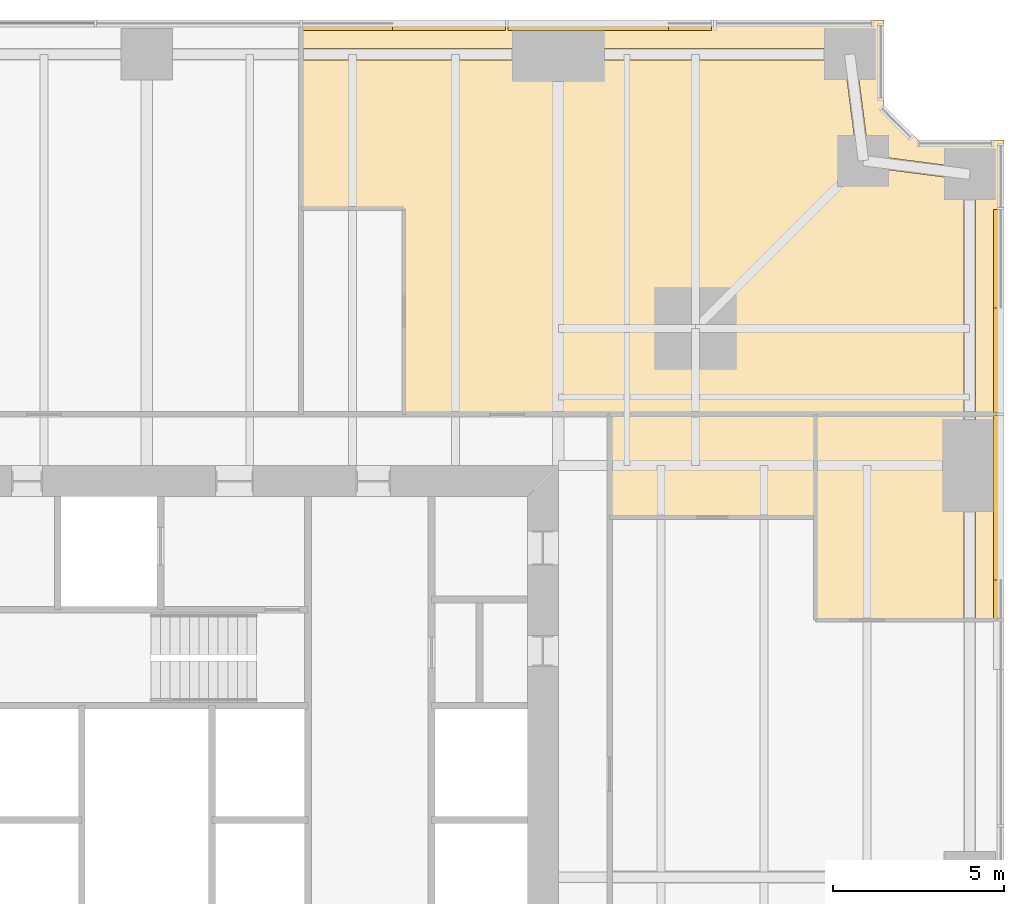
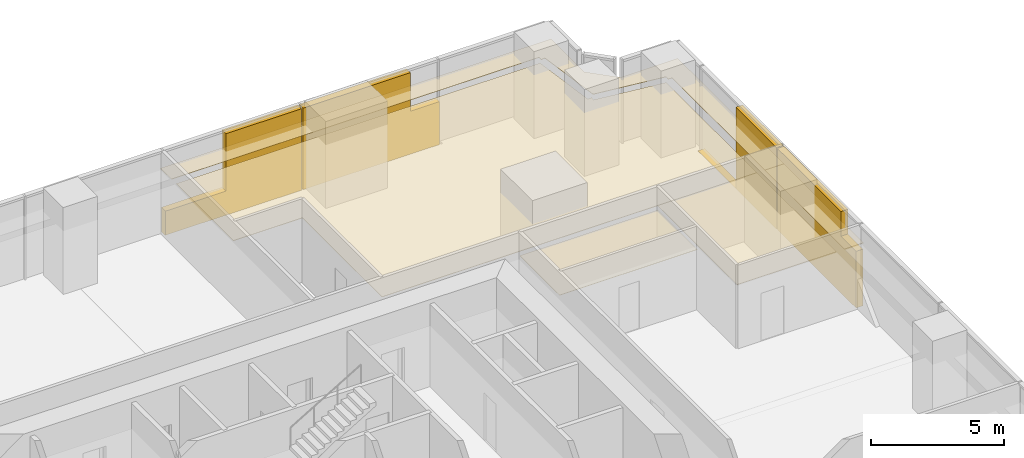
# One storey, part 13 of 15: 9 coverings.
"""IFC4 building model written with IfcOpenShell, lengths in metres."""

from ifc_helpers import new_model, si_unit, direction, frame, origin, place, context, subcontext, project, spatial, polyline, outline, extrude, material, layer, layer_set, type_object, element, save


model = new_model("IFC4")

# Units and contexts
model_context = context("Model", 3, precision=1e-05, world=origin(), true_north=direction((0.0, 1.0)))
body_context = subcontext(model_context, "Body", "Model", "MODEL_VIEW")
ifc_project = project(units=[si_unit("LENGTHUNIT", "METRE"), si_unit("AREAUNIT", "SQUARE_METRE"), si_unit("VOLUMEUNIT", "CUBIC_METRE"), si_unit("PLANEANGLEUNIT", "RADIAN"), si_unit("MASSUNIT", "GRAM", prefix="KILO")], contexts=[model_context])

# Site, building, storey
site_placement = place(None, origin())
site = spatial("IfcSite", under=ifc_project, at=site_placement, CompositionType="ELEMENT")
building_placement = place(site_placement, origin())
building = spatial("IfcBuilding", under=site, at=building_placement, Name="Fenwick Lantern Interchange", CompositionType="ELEMENT")
storey_placement = place(building_placement, frame((0.0, 0.0, 51.0)))
storey = spatial("IfcBuildingStorey", under=building, at=storey_placement, Name="L11", CompositionType="ELEMENT", Elevation=51.0)

# Coverings
ifc_material_1 = material(Name="Mineral fibre acoustic tile on suspended grid")
ifc_layer_1 = layer(ifc_material_1, 0.02001953125)
ifc_layer_set_1 = layer_set([ifc_layer_1], Name="ACOUSTIC TILE CEILING 20")
covering_type_1 = type_object("IfcCoveringType", Name="ACOUSTIC TILE CEILING 20", PredefinedType="CEILING", material=ifc_layer_set_1)
covering_1_placement = place(storey_placement, frame((0.0, 0.0, 2.89990234375)))
element("IfcCovering", 1, at=covering_1_placement, inside=storey, type_object=covering_type_1, Name="Meeting room ceiling", PredefinedType="CEILING", context=body_context, shape_type="SweptSolid", body=[
    extrude(outline(polyline([(44.5, 32.5), (48.82763671875, 32.5), (48.82763671875, 37.0), (48.82763671875, 38.5), (44.5, 38.5), (44.5, 32.5)])), origin(), (0.0, 0.0, 1.0), 0.02001953125),
])
covering_2_placement = place(storey_placement, frame((0.0, 0.0, 2.89990234375)))
element("IfcCovering", 2, at=covering_2_placement, inside=storey, type_object=covering_type_1, Name="Meeting room ceiling", PredefinedType="CEILING", context=body_context, shape_type="SweptSolid", body=[
    extrude(outline(polyline([(50.0, 38.5), (49.17236328125, 38.5), (49.17236328125, 37.0), (49.17236328125, 32.5), (50.0, 32.5), (50.0, 38.5)])), origin(), (0.0, 0.0, 1.0), 0.02001953125),
])
covering_3_placement = place(storey_placement, frame((0.0, 0.0, 2.89990234375)))
element("IfcCovering", 3, at=covering_3_placement, inside=storey, type_object=covering_type_1, Name="Office suite ceiling", PredefinedType="CEILING", context=body_context, shape_type="SweptSolid", body=[
    extrude(outline(polyline([(29.5, 48.82763671875), (29.5, 44.5), (32.5, 44.5), (32.5, 38.5), (48.82763671875, 38.5), (48.82763671875, 45.348388671875), (45.8779296875, 45.72900390625), (45.89990234375, 45.89990234375), (45.72900390625, 45.8779296875), (45.348388671875, 48.82763671875), (37.0, 48.82763671875), (29.5, 48.82763671875)])), origin(), (0.0, 0.0, 1.0), 0.02001953125),
])
covering_4_placement = place(storey_placement, frame((0.0, 0.0, 2.89990234375)))
element("IfcCovering", 4, at=covering_4_placement, inside=storey, type_object=covering_type_1, Name="Office suite ceiling", PredefinedType="CEILING", context=body_context, shape_type="SweptSolid", body=[
    extrude(outline(polyline([(29.5, 50.0), (29.5, 49.17236328125), (37.0, 49.17236328125), (45.5, 49.17236328125), (45.5, 49.0), (45.6708984375, 49.02197265625), (46.053955078125, 46.053955078125), (49.02197265625, 45.6708984375), (49.0, 45.5), (49.17236328125, 45.5), (49.17236328125, 38.5), (50.0, 38.5), (50.0, 46.5), (47.5, 46.5), (46.5, 47.5), (46.5, 50.0), (29.5, 50.0)])), origin(), (0.0, 0.0, 1.0), 0.02001953125),
])
ifc_material_2 = material(Name="Granite cladding, warm grey flamed finish, on aluminium carrier frame", Category="masonry")
ifc_layer_2 = layer(ifc_material_2, 0.300048828125)
ifc_layer_set_2 = layer_set([ifc_layer_2], Name="BRACE CASING PANEL 300")
covering_type_2 = type_object("IfcCoveringType", Name="BRACE CASING PANEL 300", PredefinedType="CLADDING", material=ifc_layer_set_2)
covering_5_placement = place(storey_placement, frame((49.89990234375, 3.60009765625, 0.0), z_axis=(0.0, 0.0, 1.0), x_axis=(0.0, 1.0, 0.0)))
element("IfcCovering", 5, at=covering_5_placement, inside=storey, type_object=covering_type_2, Name="Brace casing 05 bay 05a", PredefinedType="CLADDING", context=body_context, shape_type="SweptSolid", body=[
    extrude(outline(polyline([(28.9326171875, 0.0), (34.867431640625, 0.0), (34.867431640625, 3.75), (30.072509765625, 3.75), (30.072509765625, 2.612060546875), (28.9326171875, 2.612060546875), (28.9326171875, 0.0)])), frame((0.0, 0.2001953125, 0.0), z_axis=(0.0, -1.0, 0.0), x_axis=(1.0, 0.0, 0.0)), (0.0, 0.0, 1.0), 0.300048828125),
])
covering_6_placement = place(storey_placement, frame((49.89990234375, 3.60009765625, 0.0), z_axis=(0.0, 0.0, 1.0), x_axis=(0.0, 1.0, 0.0)))
element("IfcCovering", 6, at=covering_6_placement, inside=storey, type_object=covering_type_2, Name="Brace casing 05 bay 06a", PredefinedType="CLADDING", context=body_context, shape_type="SweptSolid", body=[
    extrude(outline(polyline([(34.9326171875, 0.0), (40.867431640625, 0.0), (40.867431640625, 0.006103515625), (38.005615234375, 0.006103515625), (38.005615234375, 3.75), (34.9326171875, 3.75), (34.9326171875, 0.0)])), frame((0.0, 0.2001953125, 0.0), z_axis=(0.0, -1.0, 0.0), x_axis=(1.0, 0.0, 0.0)), (0.0, 0.0, 1.0), 0.300048828125),
])
covering_7_placement = place(storey_placement, frame((46.39990234375, 49.89990234375, 0.0), z_axis=(0.0, 0.0, 1.0), x_axis=(-1.0, 0.0, 0.0)))
element("IfcCovering", 7, at=covering_7_placement, inside=storey, type_object=covering_type_2, Name="Brace casing 09 bay 01a", PredefinedType="CLADDING", context=body_context, shape_type="SweptSolid", body=[
    extrude(outline(polyline([(4.9326171875, 0.0), (10.867431640625, 0.0), (10.867431640625, 3.75), (6.1875, 3.75), (6.1875, 1.972900390625), (4.9326171875, 1.972900390625), (4.9326171875, 0.0)])), frame((0.0, 0.2001953125, 0.0), z_axis=(0.0, -1.0, 0.0), x_axis=(1.0, 0.0, 0.0)), (0.0, 0.0, 1.0), 0.300048828125),
])
covering_8_placement = place(storey_placement, frame((46.39990234375, 49.89990234375, 0.0), z_axis=(0.0, 0.0, 1.0), x_axis=(-1.0, 0.0, 0.0)))
element("IfcCovering", 8, at=covering_8_placement, inside=storey, type_object=covering_type_2, Name="Brace casing 09 bay 02a", PredefinedType="CLADDING", context=body_context, shape_type="SweptSolid", body=[
    extrude(outline(polyline([(10.9326171875, 0.0), (16.867431640625, 0.0), (16.867431640625, 1.10888671875), (14.23046875, 1.10888671875), (14.23046875, 3.75), (10.9326171875, 3.75), (10.9326171875, 0.0)])), frame((0.0, 0.2001953125, 0.0), z_axis=(0.0, -1.0, 0.0), x_axis=(1.0, 0.0, 0.0)), (0.0, 0.0, 1.0), 0.300048828125),
])
ifc_material_3 = material(Name="Moisture resistant gypsum board on suspended frame, painted")
ifc_layer_3 = layer(ifc_material_3, 0.014892578125)
ifc_layer_set_3 = layer_set([ifc_layer_3], Name="MOISTURE RESISTANT CEILING 15")
covering_type_3 = type_object("IfcCoveringType", Name="MOISTURE RESISTANT CEILING 15", PredefinedType="CEILING", material=ifc_layer_set_3)
covering_9_placement = place(storey_placement, frame((0.0, 0.0, 2.699951171875)))
element("IfcCovering", 9, at=covering_9_placement, inside=storey, type_object=covering_type_3, Name="Pantry ceiling", PredefinedType="CEILING", context=body_context, shape_type="SweptSolid", body=[
    extrude(outline(polyline([(44.5, 35.5), (44.5, 38.5), (38.5, 38.5), (38.5, 35.5), (44.5, 35.5)])), origin(), (0.0, 0.0, 1.0), 0.01513671875),
])

save(model, "model.ifc")
